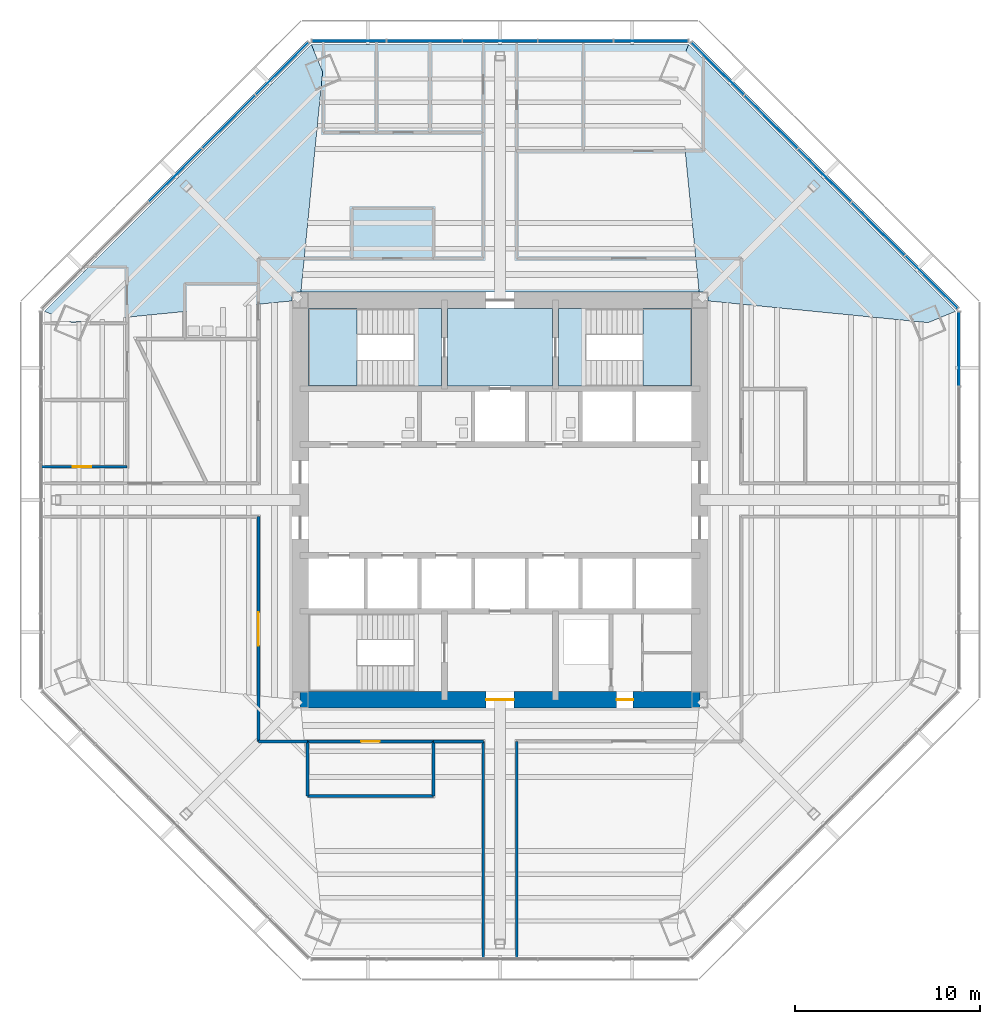
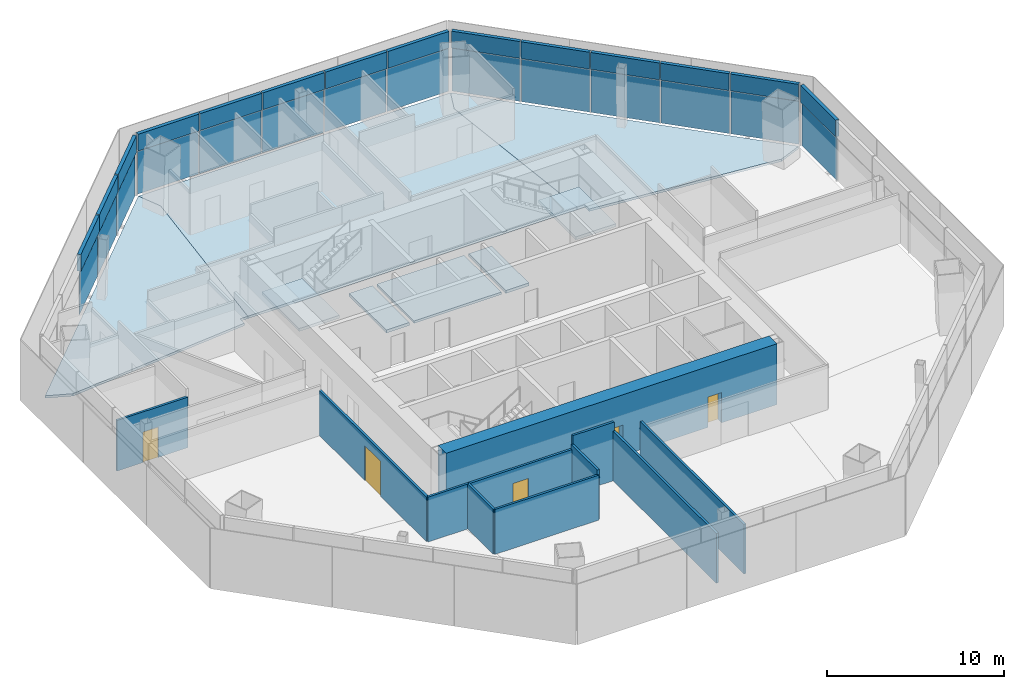
# One storey, part 8 of 14: 28 plates, 11 walls, 8 slabs, 5 doors, 5 openings, 6 elements without a shape of their own.
"""IFC4 building model written with IfcOpenShell, lengths in metres."""

from ifc_helpers import new_model, si_unit, direction, frame, frame_2d, origin, origin_2d, place, context, subcontext, project, spatial, polyline, rectangle, outline, extrude, source, transform, mapped, material, layer, layer_set, type_object, type_shapes, element, fill, aggregate, save


model = new_model("IFC4")

# Units and contexts
model_context = context("Model", 3, precision=1e-05, world=origin(), true_north=direction((0.0, 1.0)))
body_context = subcontext(model_context, "Body", "Model", "MODEL_VIEW")
ifc_project = project(units=[si_unit("LENGTHUNIT", "METRE"), si_unit("AREAUNIT", "SQUARE_METRE"), si_unit("VOLUMEUNIT", "CUBIC_METRE"), si_unit("PLANEANGLEUNIT", "RADIAN"), si_unit("MASSUNIT", "GRAM", prefix="KILO")], contexts=[model_context])

# Site, building, storey
site_placement = place(None, origin())
site = spatial("IfcSite", under=ifc_project, at=site_placement, CompositionType="ELEMENT")
building_placement = place(site_placement, origin())
building = spatial("IfcBuilding", under=site, at=building_placement, Name="Mashrafa Tower", CompositionType="ELEMENT")
storey_placement = place(building_placement, frame((0.0, 0.0, 113.39990234375)))
storey = spatial("IfcBuildingStorey", under=building, at=storey_placement, Name="L25", CompositionType="ELEMENT", Elevation=113.39990234375)

# Slabs
ifc_material_1 = material(Name="Concrete C35/45", Category="concrete")
ifc_layer_1 = layer(ifc_material_1, 0.1650390625)
ifc_layer_set_1 = layer_set([ifc_layer_1], Name="Floor slab 165")
slab_type_1 = type_object("IfcSlabType", Name="Floor slab 165", PredefinedType="FLOOR", material=ifc_layer_set_1)
slab_1_placement = place(storey_placement, frame((0.0, 0.0, -0.164794921875)))
element("IfcSlab", 1, at=slab_1_placement, inside=storey, type_object=slab_type_1, Name="Floor slab L25 north-east bay", PredefinedType="FLOOR", context=body_context, shape_type="SweptSolid", body=[
    extrude(outline(polyline([(10.1923828125, 24.606689453125), (24.606689453125, 10.1923828125), (24.606689453125, 10.1923828125), (23.13330078125, 9.58203125), (11.25, 10.755615234375), (11.25, 11.25), (10.755615234375, 11.25), (9.58203125, 23.13330078125), (10.1923828125, 24.606689453125), (10.1923828125, 24.606689453125)])), origin(), (0.0, 0.0, 1.0), 0.164794921875),
])
slab_2_placement = place(storey_placement, frame((0.0, 0.0, -0.164794921875)))
element("IfcSlab", 2, at=slab_2_placement, inside=storey, type_object=slab_type_1, Name="Floor slab L25 north bay", PredefinedType="FLOOR", context=body_context, shape_type="SweptSolid", body=[
    extrude(outline(polyline([(10.1923828125, 24.606689453125), (9.58203125, 23.13330078125), (10.755615234375, 11.25), (-10.755615234375, 11.25), (-9.58203125, 23.13330078125), (-10.1923828125, 24.606689453125), (10.1923828125, 24.606689453125)])), origin(), (0.0, 0.0, 1.0), 0.164794921875),
])
slab_3_placement = place(storey_placement, frame((0.0, 0.0, -0.164794921875)))
element("IfcSlab", 3, at=slab_3_placement, inside=storey, type_object=slab_type_1, Name="Floor slab L25 north-west bay", PredefinedType="FLOOR", context=body_context, shape_type="SweptSolid", body=[
    extrude(outline(polyline([(-24.606689453125, 10.1923828125), (-10.1923828125, 24.606689453125), (-10.1923828125, 24.606689453125), (-9.58203125, 23.13330078125), (-10.755615234375, 11.25), (-11.25, 11.25), (-11.25, 10.755615234375), (-23.13330078125, 9.58203125), (-24.606689453125, 10.1923828125), (-24.606689453125, 10.1923828125)])), origin(), (0.0, 0.0, 1.0), 0.164794921875),
])
slab_4_placement = place(storey_placement, frame((0.0, 0.0, -0.164794921875)))
element("IfcSlab", 4, at=slab_4_placement, inside=storey, type_object=slab_type_1, Name="Core floor fire-fighting lobby north L25", PredefinedType="FLOOR", context=body_context, shape_type="SweptSolid", body=[
    extrude(outline(polyline([(-2.85009765625, 10.35009765625), (2.85009765625, 10.35009765625), (2.85009765625, 6.14990234375), (-2.85009765625, 6.14990234375), (-2.85009765625, 10.35009765625)])), origin(), (0.0, 0.0, 1.0), 0.164794921875),
])

# Stair, slabs
ifc_material_2 = material(Name="Exit stair 1400")
stair_type = type_object("IfcStairType", Name="Exit stair 1400", PredefinedType="HALF_TURN_STAIR", material=ifc_material_2)
stair_1_placement = place(storey_placement, origin())
stair_1 = element("IfcStair", 5, at=stair_1_placement, inside=storey, type_object=stair_type, Name="Stair S1 L25", PredefinedType="HALF_TURN_STAIR")
ifc_material_3 = material(Name="Concrete C32/40", Category="concrete")
ifc_layer_2 = layer(ifc_material_3, 0.199951171875)
ifc_layer_set_2 = layer_set([ifc_layer_2], Name="Stair landing 200")
slab_type_2 = type_object("IfcSlabType", Name="Stair landing 200", PredefinedType="LANDING", material=ifc_layer_set_2)
slab_5_placement = place(storey_placement, frame((0.0, 0.0, -0.199951171875)))
slab_5 = element("IfcSlab", 6, at=slab_5_placement, type_object=slab_type_2, Name="S1 landing 1", PredefinedType="LANDING", context=body_context, shape_type="SweptSolid", body=[
    extrude(outline(polyline([(-4.659912109375, 6.14990234375), (-3.14990234375, 6.14990234375), (-3.14990234375, 10.35009765625), (-4.659912109375, 10.35009765625), (-4.659912109375, 6.14990234375)])), origin(), (0.0, 0.0, 1.0), 0.199951171875),
])
slab_6_placement = place(storey_placement, frame((0.0, 0.0, 1.900146484375)))
slab_6 = element("IfcSlab", 7, at=slab_6_placement, type_object=slab_type_2, Name="S1 landing 2", PredefinedType="LANDING", context=body_context, shape_type="SweptSolid", body=[
    extrude(outline(polyline([(-10.35009765625, 6.14990234375), (-7.719970703125, 6.14990234375), (-7.719970703125, 10.35009765625), (-10.35009765625, 10.35009765625), (-10.35009765625, 6.14990234375)])), origin(), (0.0, 0.0, 1.0), 0.199951171875),
])
aggregate(stair_1, [slab_5, slab_6])

stair_2_placement = place(storey_placement, origin())
stair_2 = element("IfcStair", 8, at=stair_2_placement, inside=storey, type_object=stair_type, Name="Stair S2 L25", PredefinedType="HALF_TURN_STAIR")
slab_7_placement = place(storey_placement, frame((0.0, 0.0, -0.199951171875)))
slab_7 = element("IfcSlab", 9, at=slab_7_placement, type_object=slab_type_2, Name="S2 landing 1", PredefinedType="LANDING", context=body_context, shape_type="SweptSolid", body=[
    extrude(outline(polyline([(3.14990234375, 6.14990234375), (4.659912109375, 6.14990234375), (4.659912109375, 10.35009765625), (3.14990234375, 10.35009765625), (3.14990234375, 6.14990234375)])), origin(), (0.0, 0.0, 1.0), 0.199951171875),
])
slab_8_placement = place(storey_placement, frame((0.0, 0.0, 1.900146484375)))
slab_8 = element("IfcSlab", 10, at=slab_8_placement, type_object=slab_type_2, Name="S2 landing 2", PredefinedType="LANDING", context=body_context, shape_type="SweptSolid", body=[
    extrude(outline(polyline([(7.719970703125, 6.14990234375), (10.35009765625, 6.14990234375), (10.35009765625, 10.35009765625), (7.719970703125, 10.35009765625), (7.719970703125, 6.14990234375)])), origin(), (0.0, 0.0, 1.0), 0.199951171875),
])
aggregate(stair_2, [slab_7, slab_8])

# Curtain wall, plate
ifc_material_4 = material(Name="Unitised aluminium curtain wall", Category="aluminium")
curtain_wall_type = type_object("IfcCurtainWallType", Name="Office curtain wall, zone 2 CW-B 225 deep", PredefinedType="NOTDEFINED", material=ifc_material_4)
curtain_wall_1_placement = place(storey_placement, origin())
curtain_wall_1 = element("IfcCurtainWall", 11, at=curtain_wall_1_placement, inside=storey, type_object=curtain_wall_type, Name="Office curtain wall, zone 2 L25 east", PredefinedType="NOTDEFINED")
ifc_material_5 = material(Name="Insulated double glazing, low-e, neutral", Category="glass")
ifc_layer_3 = layer(ifc_material_5, 0.028076171875)
ifc_layer_set_3 = layer_set([ifc_layer_3], Name="Vision panel CW-B 28")
plate_type_1 = type_object("IfcPlateType", Name="Vision panel CW-B 28", PredefinedType="CURTAIN_PANEL", material=ifc_layer_set_3)
shared_shape_1 = source(origin(), body_context, "Body", "SweptSolid", [
    extrude(rectangle(XDim=3.989990234375, YDim=0.028076171875, at=origin_2d()), origin(), (0.0, 0.0, 1.0), 2.9599609375),
])
plate_1_placement = place(storey_placement, frame((24.806884765625, 8.15869140625, 0.0), z_axis=(0.0, 0.0, 1.0), x_axis=(0.0, 1.0, 0.0)))
plate_1 = element("IfcPlate", 12, at=plate_1_placement, type_object=plate_type_1, Name="CW-B vision panel 5", PredefinedType="CURTAIN_PANEL", context=body_context, shape_type="MappedRepresentation", body=[
    mapped(shared_shape_1, transform((0.0, 0.0, 0.0))),
])

# Curtain wall, plates
curtain_wall_2_placement = place(storey_placement, origin())
curtain_wall_2 = element("IfcCurtainWall", 13, at=curtain_wall_2_placement, inside=storey, type_object=curtain_wall_type, Name="Office curtain wall, zone 2 L25 north-east", PredefinedType="NOTDEFINED")
plate_2_placement = place(storey_placement, frame((23.31005859375, 11.77197265625, 0.0), z_axis=(0.0, 0.0, 1.0), x_axis=(-0.707106781187, 0.707106781187, 0.0)))
plate_2 = element("IfcPlate", 14, at=plate_2_placement, type_object=plate_type_1, Name="CW-B vision panel 1", PredefinedType="CURTAIN_PANEL", context=body_context, shape_type="MappedRepresentation", body=[
    mapped(shared_shape_1, transform((0.0, 0.0, 0.0))),
])
plate_3_placement = place(storey_placement, frame((11.77197265625, 23.31005859375, 0.0), z_axis=(0.0, 0.0, 1.0), x_axis=(-0.707106781187, 0.707106781187, 0.0)))
plate_3 = element("IfcPlate", 15, at=plate_3_placement, type_object=plate_type_1, Name="CW-B vision panel 5", PredefinedType="CURTAIN_PANEL", context=body_context, shape_type="MappedRepresentation", body=[
    mapped(shared_shape_1, transform((0.0, 0.0, 0.0))),
])

curtain_wall_3_placement = place(storey_placement, origin())
curtain_wall_3 = element("IfcCurtainWall", 16, at=curtain_wall_3_placement, inside=storey, type_object=curtain_wall_type, Name="Office curtain wall, zone 2 L25 north", PredefinedType="NOTDEFINED")
plate_4_placement = place(storey_placement, frame((8.15869140625, 24.806884765625, 0.0), z_axis=(0.0, 0.0, 1.0), x_axis=(-1.0, 0.0, 0.0)))
plate_4 = element("IfcPlate", 17, at=plate_4_placement, type_object=plate_type_1, Name="CW-B vision panel 1", PredefinedType="CURTAIN_PANEL", context=body_context, shape_type="MappedRepresentation", body=[
    mapped(shared_shape_1, transform((0.0, 0.0, 0.0))),
])
plate_5_placement = place(storey_placement, frame((-8.15869140625, 24.806884765625, 0.0), z_axis=(0.0, 0.0, 1.0), x_axis=(-1.0, 0.0, 0.0)))
plate_5 = element("IfcPlate", 18, at=plate_5_placement, type_object=plate_type_1, Name="CW-B vision panel 5", PredefinedType="CURTAIN_PANEL", context=body_context, shape_type="MappedRepresentation", body=[
    mapped(shared_shape_1, transform((0.0, 0.0, 0.0))),
])

# Curtain wall, plate
curtain_wall_4_placement = place(storey_placement, origin())
curtain_wall_4 = element("IfcCurtainWall", 19, at=curtain_wall_4_placement, inside=storey, type_object=curtain_wall_type, Name="Office curtain wall, zone 2 L25 north-west", PredefinedType="NOTDEFINED")
plate_6_placement = place(storey_placement, frame((-11.77197265625, 23.31005859375, 0.0), z_axis=(0.0, 0.0, 1.0), x_axis=(-0.707106781187, -0.707106781187, 0.0)))
plate_6 = element("IfcPlate", 20, at=plate_6_placement, type_object=plate_type_1, Name="CW-B vision panel 1", PredefinedType="CURTAIN_PANEL", context=body_context, shape_type="MappedRepresentation", body=[
    mapped(shared_shape_1, transform((0.0, 0.0, 0.0))),
])

# Plate
ifc_material_6 = material(Name="Insulated aluminium spandrel panel", Category="aluminium")
ifc_layer_4 = layer(ifc_material_6, 0.219970703125)
ifc_layer_set_4 = layer_set([ifc_layer_4], Name="Spandrel panel CW-B 220")
plate_type_2 = type_object("IfcPlateType", Name="Spandrel panel CW-B 220", PredefinedType="CURTAIN_PANEL", material=ifc_layer_set_4)
shared_shape_2 = source(origin(), body_context, "Body", "SweptSolid", [
    extrude(rectangle(XDim=3.989990234375, YDim=0.219970703125, at=origin_2d()), origin(), (0.0, 0.0, 1.0), 1.159912109375),
])
plate_7_placement = place(storey_placement, frame((24.806884765625, 8.15869140625, 3.0400390625), z_axis=(0.0, 0.0, 1.0), x_axis=(0.0, 1.0, 0.0)))
plate_7 = element("IfcPlate", 21, at=plate_7_placement, type_object=plate_type_2, Name="CW-B spandrel panel 5", PredefinedType="CURTAIN_PANEL", context=body_context, shape_type="MappedRepresentation", body=[
    mapped(shared_shape_2, transform((0.0, 0.0, 0.0))),
])

aggregate(curtain_wall_1, [plate_1, plate_7])

plate_8_placement = place(storey_placement, frame((23.31005859375, 11.77197265625, 3.0400390625), z_axis=(0.0, 0.0, 1.0), x_axis=(-0.707106781187, 0.707106781187, 0.0)))
plate_8 = element("IfcPlate", 22, at=plate_8_placement, type_object=plate_type_2, Name="CW-B spandrel panel 1", PredefinedType="CURTAIN_PANEL", context=body_context, shape_type="MappedRepresentation", body=[
    mapped(shared_shape_2, transform((0.0, 0.0, 0.0))),
])

plate_9_placement = place(storey_placement, frame((11.77197265625, 23.31005859375, 3.0400390625), z_axis=(0.0, 0.0, 1.0), x_axis=(-0.707106781187, 0.707106781187, 0.0)))
plate_9 = element("IfcPlate", 23, at=plate_9_placement, type_object=plate_type_2, Name="CW-B spandrel panel 5", PredefinedType="CURTAIN_PANEL", context=body_context, shape_type="MappedRepresentation", body=[
    mapped(shared_shape_2, transform((0.0, 0.0, 0.0))),
])

plate_10_placement = place(storey_placement, frame((8.15869140625, 24.806884765625, 3.0400390625), z_axis=(0.0, 0.0, 1.0), x_axis=(-1.0, 0.0, 0.0)))
plate_10 = element("IfcPlate", 24, at=plate_10_placement, type_object=plate_type_2, Name="CW-B spandrel panel 1", PredefinedType="CURTAIN_PANEL", context=body_context, shape_type="MappedRepresentation", body=[
    mapped(shared_shape_2, transform((0.0, 0.0, 0.0))),
])

plate_11_placement = place(storey_placement, frame((-8.15869140625, 24.806884765625, 3.0400390625), z_axis=(0.0, 0.0, 1.0), x_axis=(-1.0, 0.0, 0.0)))
plate_11 = element("IfcPlate", 25, at=plate_11_placement, type_object=plate_type_2, Name="CW-B spandrel panel 5", PredefinedType="CURTAIN_PANEL", context=body_context, shape_type="MappedRepresentation", body=[
    mapped(shared_shape_2, transform((0.0, 0.0, 0.0))),
])

plate_12_placement = place(storey_placement, frame((-11.77197265625, 23.31005859375, 3.0400390625), z_axis=(0.0, 0.0, 1.0), x_axis=(-0.707106781187, -0.707106781187, 0.0)))
plate_12 = element("IfcPlate", 26, at=plate_12_placement, type_object=plate_type_2, Name="CW-B spandrel panel 1", PredefinedType="CURTAIN_PANEL", context=body_context, shape_type="MappedRepresentation", body=[
    mapped(shared_shape_2, transform((0.0, 0.0, 0.0))),
])

shared_shape_3 = source(origin(), body_context, "Body", "SweptSolid", [
    extrude(rectangle(XDim=4.0224609375, YDim=0.028076171875, at=origin_2d()), origin(), (0.0, 0.0, 1.0), 2.9599609375),
])
type_shapes(plate_type_1, [shared_shape_1, shared_shape_3])
plate_13_placement = place(storey_placement, frame((20.431396484375, 14.65087890625, 0.0), z_axis=(0.0, 0.0, 1.0), x_axis=(-0.707106781187, 0.707106781187, 0.0)))
plate_13 = element("IfcPlate", 27, at=plate_13_placement, type_object=plate_type_1, Name="CW-B vision panel 2", PredefinedType="CURTAIN_PANEL", context=body_context, shape_type="MappedRepresentation", body=[
    mapped(shared_shape_3, transform((0.0, 0.0, 0.0))),
])

plate_14_placement = place(storey_placement, frame((17.541015625, 17.541015625, 0.0), z_axis=(0.0, 0.0, 1.0), x_axis=(-0.707106781187, 0.707106781187, 0.0)))
plate_14 = element("IfcPlate", 28, at=plate_14_placement, type_object=plate_type_1, Name="CW-B vision panel 3", PredefinedType="CURTAIN_PANEL", context=body_context, shape_type="MappedRepresentation", body=[
    mapped(shared_shape_3, transform((0.0, 0.0, 0.0))),
])

plate_15_placement = place(storey_placement, frame((14.65087890625, 20.431396484375, 0.0), z_axis=(0.0, 0.0, 1.0), x_axis=(-0.707106781187, 0.707106781187, 0.0)))
plate_15 = element("IfcPlate", 29, at=plate_15_placement, type_object=plate_type_1, Name="CW-B vision panel 4", PredefinedType="CURTAIN_PANEL", context=body_context, shape_type="MappedRepresentation", body=[
    mapped(shared_shape_3, transform((0.0, 0.0, 0.0))),
])

plate_16_placement = place(storey_placement, frame((4.08740234375, 24.806884765625, 0.0), z_axis=(0.0, 0.0, 1.0), x_axis=(-1.0, 0.0, 0.0)))
plate_16 = element("IfcPlate", 30, at=plate_16_placement, type_object=plate_type_1, Name="CW-B vision panel 2", PredefinedType="CURTAIN_PANEL", context=body_context, shape_type="MappedRepresentation", body=[
    mapped(shared_shape_3, transform((0.0, 0.0, 0.0))),
])

plate_17_placement = place(storey_placement, frame((0.0, 24.806884765625, 0.0), z_axis=(0.0, 0.0, 1.0), x_axis=(-1.0, 0.0, 0.0)))
plate_17 = element("IfcPlate", 31, at=plate_17_placement, type_object=plate_type_1, Name="CW-B vision panel 3", PredefinedType="CURTAIN_PANEL", context=body_context, shape_type="MappedRepresentation", body=[
    mapped(shared_shape_3, transform((0.0, 0.0, 0.0))),
])

plate_18_placement = place(storey_placement, frame((-4.08740234375, 24.806884765625, 0.0), z_axis=(0.0, 0.0, 1.0), x_axis=(-1.0, 0.0, 0.0)))
plate_18 = element("IfcPlate", 32, at=plate_18_placement, type_object=plate_type_1, Name="CW-B vision panel 4", PredefinedType="CURTAIN_PANEL", context=body_context, shape_type="MappedRepresentation", body=[
    mapped(shared_shape_3, transform((0.0, 0.0, 0.0))),
])

plate_19_placement = place(storey_placement, frame((-14.65087890625, 20.431396484375, 0.0), z_axis=(0.0, 0.0, 1.0), x_axis=(-0.707106781187, -0.707106781187, 0.0)))
plate_19 = element("IfcPlate", 33, at=plate_19_placement, type_object=plate_type_1, Name="CW-B vision panel 2", PredefinedType="CURTAIN_PANEL", context=body_context, shape_type="MappedRepresentation", body=[
    mapped(shared_shape_3, transform((0.0, 0.0, 0.0))),
])

plate_20_placement = place(storey_placement, frame((-17.541015625, 17.541015625, 0.0), z_axis=(0.0, 0.0, 1.0), x_axis=(-0.707106781187, -0.707106781187, 0.0)))
plate_20 = element("IfcPlate", 34, at=plate_20_placement, type_object=plate_type_1, Name="CW-B vision panel 3", PredefinedType="CURTAIN_PANEL", context=body_context, shape_type="MappedRepresentation", body=[
    mapped(shared_shape_3, transform((0.0, 0.0, 0.0))),
])

shared_shape_4 = source(origin(), body_context, "Body", "SweptSolid", [
    extrude(rectangle(XDim=4.0224609375, YDim=0.219970703125, at=origin_2d()), origin(), (0.0, 0.0, 1.0), 1.159912109375),
])
type_shapes(plate_type_2, [shared_shape_2, shared_shape_4])
plate_21_placement = place(storey_placement, frame((20.431396484375, 14.65087890625, 3.0400390625), z_axis=(0.0, 0.0, 1.0), x_axis=(-0.707106781187, 0.707106781187, 0.0)))
plate_21 = element("IfcPlate", 35, at=plate_21_placement, type_object=plate_type_2, Name="CW-B spandrel panel 2", PredefinedType="CURTAIN_PANEL", context=body_context, shape_type="MappedRepresentation", body=[
    mapped(shared_shape_4, transform((0.0, 0.0, 0.0))),
])

plate_22_placement = place(storey_placement, frame((17.541015625, 17.541015625, 3.0400390625), z_axis=(0.0, 0.0, 1.0), x_axis=(-0.707106781187, 0.707106781187, 0.0)))
plate_22 = element("IfcPlate", 36, at=plate_22_placement, type_object=plate_type_2, Name="CW-B spandrel panel 3", PredefinedType="CURTAIN_PANEL", context=body_context, shape_type="MappedRepresentation", body=[
    mapped(shared_shape_4, transform((0.0, 0.0, 0.0))),
])

plate_23_placement = place(storey_placement, frame((14.65087890625, 20.431396484375, 3.0400390625), z_axis=(0.0, 0.0, 1.0), x_axis=(-0.707106781187, 0.707106781187, 0.0)))
plate_23 = element("IfcPlate", 37, at=plate_23_placement, type_object=plate_type_2, Name="CW-B spandrel panel 4", PredefinedType="CURTAIN_PANEL", context=body_context, shape_type="MappedRepresentation", body=[
    mapped(shared_shape_4, transform((0.0, 0.0, 0.0))),
])

aggregate(curtain_wall_2, [plate_2, plate_8, plate_13, plate_21, plate_14, plate_22, plate_15, plate_23, plate_3, plate_9])

plate_24_placement = place(storey_placement, frame((4.08740234375, 24.806884765625, 3.0400390625), z_axis=(0.0, 0.0, 1.0), x_axis=(-1.0, 0.0, 0.0)))
plate_24 = element("IfcPlate", 38, at=plate_24_placement, type_object=plate_type_2, Name="CW-B spandrel panel 2", PredefinedType="CURTAIN_PANEL", context=body_context, shape_type="MappedRepresentation", body=[
    mapped(shared_shape_4, transform((0.0, 0.0, 0.0))),
])

plate_25_placement = place(storey_placement, frame((0.0, 24.806884765625, 3.0400390625), z_axis=(0.0, 0.0, 1.0), x_axis=(-1.0, 0.0, 0.0)))
plate_25 = element("IfcPlate", 39, at=plate_25_placement, type_object=plate_type_2, Name="CW-B spandrel panel 3", PredefinedType="CURTAIN_PANEL", context=body_context, shape_type="MappedRepresentation", body=[
    mapped(shared_shape_4, transform((0.0, 0.0, 0.0))),
])

plate_26_placement = place(storey_placement, frame((-4.08740234375, 24.806884765625, 3.0400390625), z_axis=(0.0, 0.0, 1.0), x_axis=(-1.0, 0.0, 0.0)))
plate_26 = element("IfcPlate", 40, at=plate_26_placement, type_object=plate_type_2, Name="CW-B spandrel panel 4", PredefinedType="CURTAIN_PANEL", context=body_context, shape_type="MappedRepresentation", body=[
    mapped(shared_shape_4, transform((0.0, 0.0, 0.0))),
])

aggregate(curtain_wall_3, [plate_4, plate_10, plate_16, plate_24, plate_17, plate_25, plate_18, plate_26, plate_5, plate_11])

plate_27_placement = place(storey_placement, frame((-14.65087890625, 20.431396484375, 3.0400390625), z_axis=(0.0, 0.0, 1.0), x_axis=(-0.707106781187, -0.707106781187, 0.0)))
plate_27 = element("IfcPlate", 41, at=plate_27_placement, type_object=plate_type_2, Name="CW-B spandrel panel 2", PredefinedType="CURTAIN_PANEL", context=body_context, shape_type="MappedRepresentation", body=[
    mapped(shared_shape_4, transform((0.0, 0.0, 0.0))),
])

plate_28_placement = place(storey_placement, frame((-17.541015625, 17.541015625, 3.0400390625), z_axis=(0.0, 0.0, 1.0), x_axis=(-0.707106781187, -0.707106781187, 0.0)))
plate_28 = element("IfcPlate", 42, at=plate_28_placement, type_object=plate_type_2, Name="CW-B spandrel panel 3", PredefinedType="CURTAIN_PANEL", context=body_context, shape_type="MappedRepresentation", body=[
    mapped(shared_shape_4, transform((0.0, 0.0, 0.0))),
])

aggregate(curtain_wall_4, [plate_6, plate_12, plate_19, plate_27, plate_20, plate_28])

# Wall, openings, doors
ifc_material_7 = material(Name="Concrete C60/75", Category="concrete")
ifc_layer_5 = layer(ifc_material_7, 0.89990234375)
ifc_layer_set_5 = layer_set([ifc_layer_5], Name="Core wall 900 C60/75")
wall_type_1 = type_object("IfcWallType", Name="Core wall 900 C60/75", PredefinedType="SOLIDWALL", material=ifc_layer_set_5)
wall_1_placement = place(storey_placement, frame((-10.800048828125, -10.800048828125, 0.0), z_axis=(0.0, 0.0, 1.0), x_axis=(1.0, 0.0, 0.0)))
wall_1 = element("IfcWall", 43, at=wall_1_placement, inside=storey, type_object=wall_type_1, Name="Core wall CW-S L25", PredefinedType="SOLIDWALL", context=body_context, shape_type="SweptSolid", body=[
    extrude(rectangle(XDim=21.60009765625, YDim=0.89990234375, at=frame_2d((10.800048828125, 0.0))), origin(), (0.0, 0.0, 1.0), 4.2001953125),
])
opening_1_placement = place(wall_1_placement, frame((10.050048828125, 0.0, 0.0)))
opening_1 = element("IfcOpeningElement", 44, at=opening_1_placement, cuts=wall_1, Name="Opening 25.023", PredefinedType="OPENING", context=body_context, shape_type="SweptSolid", body=[
    extrude(rectangle(XDim=1.5, YDim=2.10009765625, at=frame_2d((0.75, 1.050048828125))), frame((0.0, 0.4599609375, 0.0), z_axis=(0.0, -1.0, 0.0), x_axis=(1.0, 0.0, 0.0)), (0.0, 0.0, 1.0), 0.919921875),
])
opening_2_placement = place(wall_1_placement, frame((17.10009765625, 0.0, 0.0)))
opening_2 = element("IfcOpeningElement", 45, at=opening_2_placement, cuts=wall_1, Name="Opening 25.027", PredefinedType="OPENING", context=body_context, shape_type="SweptSolid", body=[
    extrude(rectangle(XDim=0.89990234375, YDim=2.10009765625, at=frame_2d((0.449951171875, 1.050048828125))), frame((0.0, 0.4599609375, 0.0), z_axis=(0.0, -1.0, 0.0), x_axis=(1.0, 0.0, 0.0)), (0.0, 0.0, 1.0), 0.919921875),
])
ifc_material_8 = material(Name="Steel door", Category="steel")
door_type_1 = type_object("IfcDoorType", Name="Lobby door pair 1500 x 2100 90 min", OperationType="DOUBLE_DOOR_SINGLE_SWING", PredefinedType="DOOR", material=ifc_material_8)
door_1_placement = place(opening_1_placement, origin())
door_1 = element("IfcDoor", 46, at=door_1_placement, inside=storey, type_object=door_type_1, Name="Fire-fighting lobby F2 door L25", OperationType="DOUBLE_DOOR_SINGLE_SWING", OverallHeight=2.10009765625, OverallWidth=1.5, PredefinedType="DOOR", context=body_context, shape_type="SweptSolid", body=[
    extrude(rectangle(XDim=1.5, YDim=2.10009765625, at=frame_2d((0.75, 1.050048828125))), frame((0.0, 0.02490234375, 0.0), z_axis=(0.0, -1.0, 0.0), x_axis=(1.0, 0.0, 0.0)), (0.0, 0.0, 1.0), 0.050048828125),
])
fill(opening_1, door_1)
ifc_material_9 = material(Name="Steel door", Category="steel")
door_type_2 = type_object("IfcDoorType", Name="Service door 900 x 2100 90 min", OperationType="USERDEFINED", PredefinedType="DOOR", material=ifc_material_9)
door_2_placement = place(opening_2_placement, frame((0.89990234375, 0.0, 0.0), z_axis=(0.0, 0.0, 1.0), x_axis=(-1.0, 0.0, 0.0)))
door_2 = element("IfcDoor", 47, at=door_2_placement, inside=storey, type_object=door_type_2, Name="Services Lobby L25 door", OperationType="SINGLE_SWING_LEFT", OverallHeight=2.10009765625, OverallWidth=0.89990234375, PredefinedType="DOOR", context=body_context, shape_type="SweptSolid", body=[
    extrude(rectangle(XDim=0.89990234375, YDim=2.10009765625, at=frame_2d((0.449951171875, 1.050048828125))), frame((0.0, 0.02490234375, 0.0), z_axis=(0.0, -1.0, 0.0), x_axis=(1.0, 0.0, 0.0)), (0.0, 0.0, 1.0), 0.050048828125),
])
fill(opening_2, door_2)

# Wall, opening, door
ifc_material_10 = material(Name="Gypsum board on steel studs", Category="steel")
ifc_layer_6 = layer(ifc_material_10, 0.14990234375)
ifc_layer_set_6 = layer_set([ifc_layer_6], Name="Corridor partition 150 1 hr")
wall_type_2 = type_object("IfcWallType", Name="Corridor partition 150 1 hr", PredefinedType="PARTITIONING", material=ifc_layer_set_6)
wall_2_placement = place(storey_placement, frame((-10.40087890625, -13.050048828125, 0.0), z_axis=(0.0, 0.0, 1.0), x_axis=(1.0, 0.0, 0.0)))
wall_2 = element("IfcWall", 48, at=wall_2_placement, inside=storey, type_object=wall_type_2, Name="Corridor wall L25-007", PredefinedType="PARTITIONING", context=body_context, shape_type="SweptSolid", body=[
    extrude(rectangle(XDim=6.8017578125, YDim=0.14990234375, at=frame_2d((3.40087890625, 0.0))), origin(), (0.0, 0.0, 1.0), 3.097900390625),
])
opening_3_placement = place(wall_2_placement, frame((2.90087890625, 0.0, 0.0)))
opening_3 = element("IfcOpeningElement", 49, at=opening_3_placement, cuts=wall_2, Name="Opening 25.006", PredefinedType="OPENING", context=body_context, shape_type="SweptSolid", body=[
    extrude(rectangle(XDim=1.0, YDim=2.10009765625, at=frame_2d((0.5, 1.050048828125))), frame((0.0, 0.0849609375, 0.0), z_axis=(0.0, -1.0, 0.0), x_axis=(1.0, 0.0, 0.0)), (0.0, 0.0, 1.0), 0.169921875),
])
ifc_material_11 = material(Name="Timber door", Category="wood")
door_type_3 = type_object("IfcDoorType", Name="Door 1000 x 2100", OperationType="USERDEFINED", PredefinedType="DOOR", material=ifc_material_11)
door_3_placement = place(opening_3_placement, frame((1.0, 0.0, 0.0), z_axis=(0.0, 0.0, 1.0), x_axis=(-1.0, 0.0, 0.0)))
door_3 = element("IfcDoor", 50, at=door_3_placement, inside=storey, type_object=door_type_3, Name="Records Office 25 door", OperationType="SINGLE_SWING_RIGHT", OverallHeight=2.10009765625, OverallWidth=1.0, PredefinedType="DOOR", context=body_context, shape_type="SweptSolid", body=[
    extrude(rectangle(XDim=1.0, YDim=2.10009765625, at=frame_2d((0.5, 1.050048828125))), frame((0.0, 0.02490234375, 0.0), z_axis=(0.0, -1.0, 0.0), x_axis=(1.0, 0.0, 0.0)), (0.0, 0.0, 1.0), 0.050048828125),
])
fill(opening_3, door_3)

wall_3_placement = place(storey_placement, frame((-13.050048828125, -0.89990234375, 0.0), z_axis=(0.0, 0.0, 1.0), x_axis=(0.0, -1.0, 0.0)))
wall_3 = element("IfcWall", 51, at=wall_3_placement, inside=storey, type_object=wall_type_2, Name="Corridor wall L25-020", PredefinedType="PARTITIONING", context=body_context, shape_type="SweptSolid", body=[
    extrude(rectangle(XDim=12.150146484375, YDim=0.14990234375, at=frame_2d((6.0751953125, 0.0))), origin(), (0.0, 0.0, 1.0), 3.097900390625),
])
opening_4_placement = place(wall_3_placement, frame((5.175048828125, 0.0, 0.0)))
opening_4 = element("IfcOpeningElement", 52, at=opening_4_placement, cuts=wall_3, Name="Opening 25.016", PredefinedType="OPENING", context=body_context, shape_type="SweptSolid", body=[
    extrude(rectangle(XDim=1.800048828125, YDim=2.39990234375, at=frame_2d((0.89990234375, 1.199951171875))), frame((0.0, 0.0849609375, 0.0), z_axis=(0.0, -1.0, 0.0), x_axis=(1.0, 0.0, 0.0)), (0.0, 0.0, 1.0), 0.169921875),
])
ifc_material_12 = material(Name="Timber door", Category="wood")
door_type_4 = type_object("IfcDoorType", Name="Door pair 1800 x 2400", OperationType="DOUBLE_DOOR_SINGLE_SWING", PredefinedType="DOOR", material=ifc_material_12)
door_4_placement = place(opening_4_placement, frame((1.800048828125, 0.0, 0.0), z_axis=(0.0, 0.0, 1.0), x_axis=(-1.0, 0.0, 0.0)))
door_4 = element("IfcDoor", 53, at=door_4_placement, inside=storey, type_object=door_type_4, Name="Licensing Office 25-SW door", OperationType="DOUBLE_DOOR_SINGLE_SWING", OverallHeight=2.39990234375, OverallWidth=1.800048828125, PredefinedType="DOOR", context=body_context, shape_type="SweptSolid", body=[
    extrude(rectangle(XDim=1.800048828125, YDim=2.39990234375, at=frame_2d((0.89990234375, 1.199951171875))), frame((0.0, 0.02490234375, 0.0), z_axis=(0.0, -1.0, 0.0), x_axis=(1.0, 0.0, 0.0)), (0.0, 0.0, 1.0), 0.050048828125),
])
fill(opening_4, door_4)

# Walls
wall_4_placement = place(storey_placement, frame((-13.050048828125, -13.050048828125, 0.0), z_axis=(0.0, 0.0, 1.0), x_axis=(1.0, 0.0, 0.0)))
element("IfcWall", 54, at=wall_4_placement, inside=storey, type_object=wall_type_2, Name="Corridor wall L25-021", PredefinedType="PARTITIONING", context=body_context, shape_type="SweptSolid", body=[
    extrude(rectangle(XDim=2.651123046875, YDim=0.14990234375, at=frame_2d((1.32568359375, 0.0))), origin(), (0.0, 0.0, 1.0), 3.097900390625),
])
wall_5_placement = place(storey_placement, frame((-3.60107421875, -13.050048828125, 0.0), z_axis=(0.0, 0.0, 1.0), x_axis=(1.0, 0.0, 0.0)))
element("IfcWall", 55, at=wall_5_placement, inside=storey, type_object=wall_type_2, Name="Corridor wall L25-022", PredefinedType="PARTITIONING", context=body_context, shape_type="SweptSolid", body=[
    extrude(rectangle(XDim=2.701171875, YDim=0.14990234375, at=frame_2d((1.3505859375, 0.0))), origin(), (0.0, 0.0, 1.0), 4.03515625),
])
for number, where, z_axis, x_axis, name in (
    (56, (-0.89990234375, -13.050048828125, 0.0), (0.0, 0.0, 1.0), (0.0, -1.0, 0.0), "Corridor wall L25-023"),
    (57, (0.89990234375, -24.788818359375, 0.0), (0.0, 0.0, 1.0), (0.0, 1.0, 0.0), "Corridor wall L25-024"),
):
    element("IfcWall", number, at=place(storey_placement, frame(where, z_axis=z_axis, x_axis=x_axis)), inside=storey, type_object=wall_type_2, Name=name, PredefinedType="PARTITIONING", context=body_context, shape_type="SweptSolid", body=[
        extrude(rectangle(XDim=11.73876953125, YDim=0.14990234375, at=frame_2d((5.869384765625, 0.0))), origin(), (0.0, 0.0, 1.0), 3.42578125),
    ])
ifc_material_13 = material(Name="Gypsum board on steel studs", Category="steel")
ifc_layer_7 = layer(ifc_material_13, 0.14990234375)
ifc_layer_set_7 = layer_set([ifc_layer_7], Name="Partition 150")
wall_type_3 = type_object("IfcWallType", Name="Partition 150", PredefinedType="PARTITIONING", material=ifc_layer_set_7)
wall_6_placement = place(storey_placement, frame((-10.39990234375, -13.050048828125, 0.0), z_axis=(0.0, 0.0, 1.0), x_axis=(0.0, -1.0, 0.0)))
element("IfcWall", 58, at=wall_6_placement, inside=storey, type_object=wall_type_3, Name="Partition wall L25-039", PredefinedType="PARTITIONING", context=body_context, shape_type="SweptSolid", body=[
    extrude(rectangle(XDim=2.949951171875, YDim=0.14990234375, at=frame_2d((1.47509765625, 0.0))), origin(), (0.0, 0.0, 1.0), 3.097900390625),
])
wall_7_placement = place(storey_placement, frame((-10.39990234375, -16.0, 0.0), z_axis=(0.0, 0.0, 1.0), x_axis=(1.0, 0.0, 0.0)))
element("IfcWall", 59, at=wall_7_placement, inside=storey, type_object=wall_type_3, Name="Partition wall L25-040", PredefinedType="PARTITIONING", context=body_context, shape_type="SweptSolid", body=[
    extrude(rectangle(XDim=6.7998046875, YDim=0.14990234375, at=frame_2d((3.39990234375, 0.0))), origin(), (0.0, 0.0, 1.0), 3.097900390625),
])
wall_8_placement = place(storey_placement, frame((-3.60009765625, -16.0, 0.0), z_axis=(0.0, 0.0, 1.0), x_axis=(0.0, 1.0, 0.0)))
element("IfcWall", 60, at=wall_8_placement, inside=storey, type_object=wall_type_3, Name="Partition wall L25-041", PredefinedType="PARTITIONING", context=body_context, shape_type="SweptSolid", body=[
    extrude(rectangle(XDim=2.949951171875, YDim=0.14990234375, at=frame_2d((1.47509765625, 0.0))), origin(), (0.0, 0.0, 1.0), 3.42578125),
])

# Wall, opening, door
wall_9_placement = place(storey_placement, frame((-24.790771484375, 1.800048828125, 0.0), z_axis=(0.0, 0.0, 1.0), x_axis=(1.0, 0.0, 0.0)))
wall_9 = element("IfcWall", 61, at=wall_9_placement, inside=storey, type_object=wall_type_3, Name="Partition wall L25-051", PredefinedType="PARTITIONING", context=body_context, shape_type="SweptSolid", body=[
    extrude(rectangle(XDim=4.634033203125, YDim=0.14990234375, at=frame_2d((2.31689453125, 0.0))), origin(), (0.0, 0.0, 1.0), 3.49169921875),
])
opening_5_placement = place(wall_9_placement, frame((1.698974609375, 0.0, 0.0)))
opening_5 = element("IfcOpeningElement", 62, at=opening_5_placement, cuts=wall_9, Name="Opening 25.010", PredefinedType="OPENING", context=body_context, shape_type="SweptSolid", body=[
    extrude(rectangle(XDim=1.0, YDim=2.10009765625, at=frame_2d((0.5, 1.050048828125))), frame((0.0, 0.0849609375, 0.0), z_axis=(0.0, -1.0, 0.0), x_axis=(1.0, 0.0, 0.0)), (0.0, 0.0, 1.0), 0.169921875),
])
door_5_placement = place(opening_5_placement, origin())
door_5 = element("IfcDoor", 63, at=door_5_placement, inside=storey, type_object=door_type_3, Name="Case Officer's Office 25-NW-3 door", OperationType="SINGLE_SWING_LEFT", OverallHeight=2.10009765625, OverallWidth=1.0, PredefinedType="DOOR", context=body_context, shape_type="SweptSolid", body=[
    extrude(rectangle(XDim=1.0, YDim=2.10009765625, at=frame_2d((0.5, 1.050048828125))), frame((0.0, 0.02490234375, 0.0), z_axis=(0.0, -1.0, 0.0), x_axis=(1.0, 0.0, 0.0)), (0.0, 0.0, 1.0), 0.050048828125),
])
fill(opening_5, door_5)

save(model, "model.ifc")
